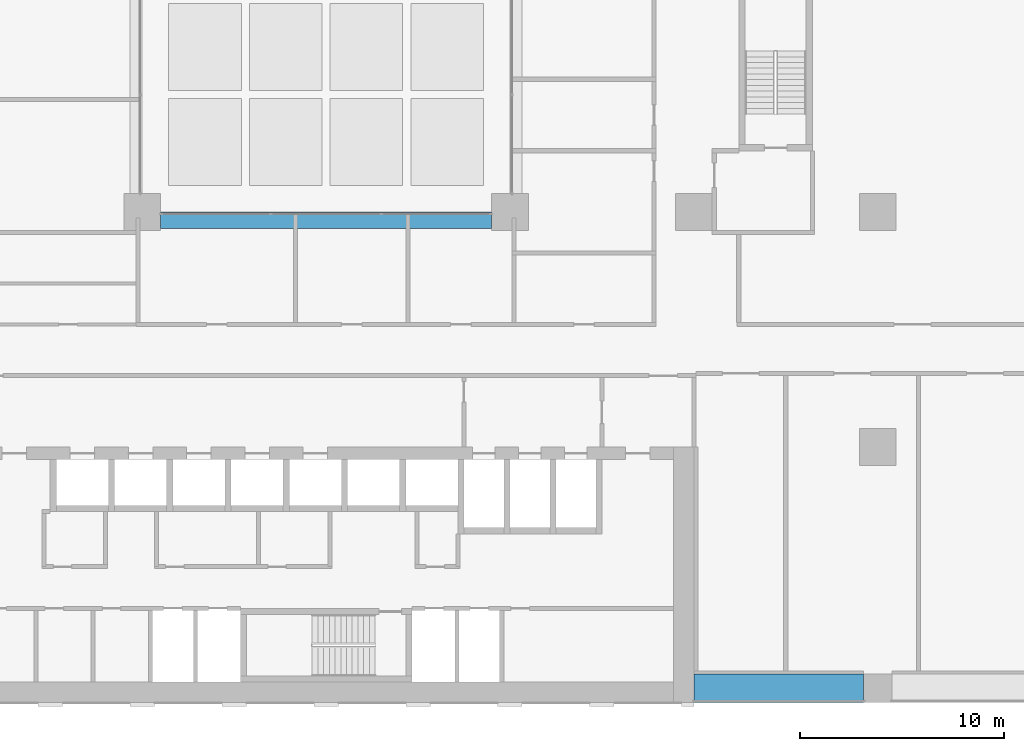
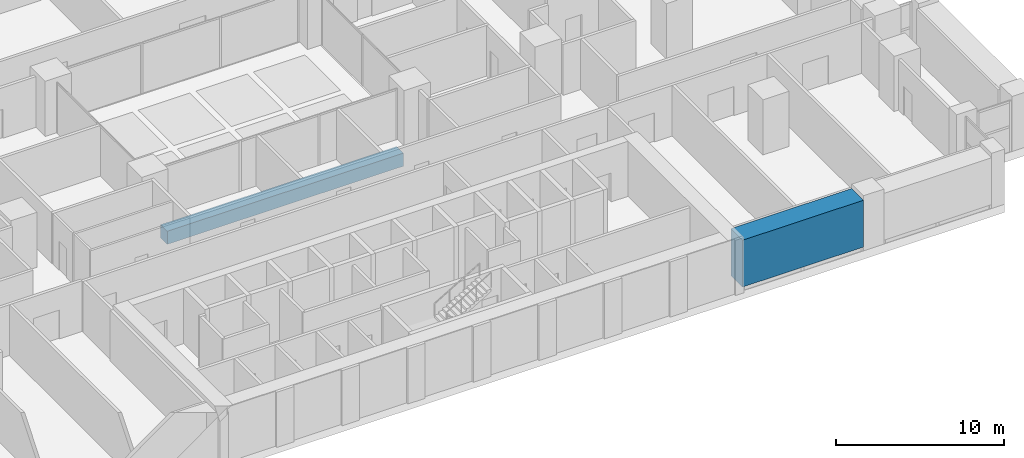
# One storey, part 4 of 24: 2 beams.
"""IFC4 building model written with IfcOpenShell, lengths in metres."""

import ifcopenshell
import ifcopenshell.guid

model = None  # the IFC model being written
_history = None  # IfcOwnerHistory: only IFC2X3 demands one
_inside = {}  # id of a spatial element -> (the spatial element, [elements in it])
_under = {}  # id of a project, library or spatial element -> (it, [spatial elements below it])
_declared = {}  # id of a project -> (the project, [libraries it declares])
_typed = {}  # id of a type object -> (the type object, [elements of that type])
_made_of = {}  # id of a material, layer set ... -> (it, [elements and type objects made of it])


def new_model(schema):
    """Start an empty IFC model of exactly this schema.

    Asked for "IFC4X3", IfcOpenShell would pick the latest addendum, in which some entities
    have other attributes; the version numbers below select the first issue.
    IFC2X3 requires an IfcOwnerHistory on every rooted entity: one is made here for all.
    """
    global model, _history
    if schema == "IFC4X3":
        model = ifcopenshell.file(schema_version=(4, 3, 0, 0))
    else:
        model = ifcopenshell.file(schema=schema)
    _inside.clear()
    _under.clear()
    _declared.clear()
    _typed.clear()
    _made_of.clear()
    _history = None
    if model.schema == "IFC2X3":
        org = make("IfcOrganization", Name="unknown")
        user = make(
            "IfcPersonAndOrganization",
            ThePerson=make("IfcPerson", FamilyName="unknown"),
            TheOrganization=org,
        )
        app = make(
            "IfcApplication",
            ApplicationDeveloper=org,
            Version="unknown",
            ApplicationFullName="unknown",
            ApplicationIdentifier="unknown",
        )
        _history = make(
            "IfcOwnerHistory",
            OwningUser=user,
            OwningApplication=app,
            ChangeAction="ADDED",
            CreationDate=0,
        )
    return model


def make(cls, **values):
    """One entity of the class cls with the attributes given. An attribute that is None is left unset."""
    return model.create_entity(
        cls, **{name: value for name, value in values.items() if value is not None}
    )


def rooted(cls, **values):
    """An entity with a GlobalId (a new one), such as an element, a storey or a relation."""
    return make(cls, GlobalId=ifcopenshell.guid.new(), OwnerHistory=_history, **values)


def si_unit(unit_type, name, prefix=None):
    """IfcSIUnit, for example si_unit("LENGTHUNIT", "METRE", prefix="MILLI")."""
    return make("IfcSIUnit", UnitType=unit_type, Prefix=prefix, Name=name)


def assignment(units):
    """IfcUnitAssignment: the units of a project."""
    return None if units is None else make("IfcUnitAssignment", Units=units)


def point(xyz):
    """IfcCartesianPoint."""
    return None if xyz is None else make("IfcCartesianPoint", Coordinates=xyz)


def direction(xyz):
    """IfcDirection."""
    return None if xyz is None else make("IfcDirection", DirectionRatios=xyz)


def frame(location, z_axis=None, x_axis=None):
    """IfcAxis2Placement3D, a coordinate frame: its origin and axes. An axis left out is left unset."""
    return make(
        "IfcAxis2Placement3D",
        Location=point(location),
        Axis=direction(z_axis),
        RefDirection=direction(x_axis),
    )


def frame_2d(location, x_axis=None):
    """IfcAxis2Placement2D, a coordinate frame in the plane: its origin and x axis."""
    return make(
        "IfcAxis2Placement2D", Location=point(location), RefDirection=direction(x_axis)
    )


def origin():
    """The frame at (0, 0, 0) with its axes left unset."""
    return frame((0.0, 0.0, 0.0))


def origin_2d():
    """The frame at (0, 0) in the plane with its x axis left unset."""
    return frame_2d((0.0, 0.0))


def place(relative_to, where):
    """IfcLocalPlacement: puts the frame where relative to a parent placement (None: the world)."""
    return make(
        "IfcLocalPlacement", PlacementRelTo=relative_to, RelativePlacement=where
    )


def context(
    kind, dimensions, precision=None, world=None, true_north=None, identifier=None
):
    """IfcGeometricRepresentationContext, for example the 3D "Model" context."""
    return make(
        "IfcGeometricRepresentationContext",
        ContextIdentifier=identifier,
        ContextType=kind,
        CoordinateSpaceDimension=dimensions,
        Precision=precision,
        WorldCoordinateSystem=world,
        TrueNorth=true_north,
    )


def subcontext(parent, identifier, kind, view, scale=None):
    """IfcGeometricRepresentationSubContext, for example "Body" below "Model"."""
    return make(
        "IfcGeometricRepresentationSubContext",
        ContextIdentifier=identifier,
        ContextType=kind,
        ParentContext=parent,
        TargetScale=scale,
        TargetView=view,
    )


def project(units=None, contexts=None):
    """IfcProject with its units and contexts."""
    return rooted(
        "IfcProject",
        Name="project",
        RepresentationContexts=contexts,
        UnitsInContext=assignment(units),
    )


def spatial(cls, under=None, at=None, **own):
    """A site, building, storey or space (cls), placed at a placement, below another one or the project."""
    s = rooted(cls, ObjectPlacement=at, **own)
    if under is not None:
        _under.setdefault(under.id(), (under, []))[1].append(s)
    return s


def profile(cls, at=None, kind="AREA", **sizes):
    """A parametric profile (cls). Its sizes go by their IFC names, for example OverallWidth=200.0."""
    return make(cls, ProfileType=kind, Position=at, **sizes)


def rectangle(**sizes):
    """IfcRectangleProfileDef."""
    return profile("IfcRectangleProfileDef", **sizes)


def extrude(swept, where, along, depth):
    """IfcExtrudedAreaSolid: the profile swept, set in the frame where, extruded along a direction by depth."""
    return make(
        "IfcExtrudedAreaSolid",
        SweptArea=swept,
        Position=where,
        ExtrudedDirection=direction(along),
        Depth=depth,
    )


def shape(context_of_items, identifier, shape_type, items):
    """IfcShapeRepresentation: the items that make up one representation, for example the "Body"."""
    return make(
        "IfcShapeRepresentation",
        ContextOfItems=context_of_items,
        RepresentationIdentifier=identifier,
        RepresentationType=shape_type,
        Items=items,
    )


def material(Name=None, Category=None):
    """IfcMaterial."""
    return make("IfcMaterial", Name=Name, Category=Category)


def material_profile(
    of_material, cross_section, Name=None, Category=None, Priority=None
):
    """IfcMaterialProfile: a cross section and its material."""
    return make(
        "IfcMaterialProfile",
        Name=Name,
        Material=of_material,
        Profile=cross_section,
        Priority=Priority,
        Category=Category,
    )


def profile_set(profiles, Name=None, composite=None):
    """IfcMaterialProfileSet."""
    return make(
        "IfcMaterialProfileSet",
        Name=Name,
        MaterialProfiles=profiles,
        CompositeProfile=composite,
    )


def made_of(thing, what):
    """Note that an element or type object is made of a material, layer set ...; save() writes the relation."""
    if what is not None:
        _made_of.setdefault(what.id(), (what, []))[1].append(thing)
    return thing


def type_object(cls, material=None, **own):
    """A type object (cls), such as IfcWallType, which elements share."""
    return made_of(rooted(cls, **own), material)


def element(
    cls,
    number,
    at=None,
    inside=None,
    cuts=None,
    type_object=None,
    material=None,
    context=None,
    identifier="Body",
    shape_type=None,
    held_by="IfcProductDefinitionShape",
    body=None,
    shapes=None,
    **own,
):
    """One element of the class cls, such as IfcWall. Its Tag is "e" and its number.

    at: its placement. inside: the storey or other place that contains it. cuts: it is an
    opening in that element (IfcRelVoidsElement). A single representation is given by context,
    identifier, shape_type and body (its items); several are given by shapes. held_by: the class
    of the entity that holds the representations. save() writes the other relations.
    """
    e = rooted(cls, Tag="e%d" % number, ObjectPlacement=at, **own)
    if body is not None:
        shapes = [shape(context, identifier, shape_type, body)]
    if shapes is not None:
        e.Representation = make(held_by, Representations=shapes)
    if inside is not None:
        _inside.setdefault(inside.id(), (inside, []))[1].append(e)
    if cuts is not None:
        rooted(
            "IfcRelVoidsElement", RelatingBuildingElement=cuts, RelatedOpeningElement=e
        )
    if type_object is not None:
        _typed.setdefault(type_object.id(), (type_object, []))[1].append(e)
    return made_of(e, material)


def aggregate(whole, parts):
    """IfcRelAggregates: a whole, such as a stair, and the parts it consists of."""
    return rooted("IfcRelAggregates", RelatingObject=whole, RelatedObjects=parts)


def save(model, path):
    """Write the relations noted so far, then the file.

    IfcRelAggregates (storeys below a building ...), IfcRelContainedInSpatialStructure (elements
    in a storey), IfcRelDefinesByType, IfcRelAssociatesMaterial and IfcRelDeclares: one each for
    every whole, place, type object, material and project.
    """
    for whole, parts in _under.values():
        aggregate(whole, parts)
    for where, things in _inside.values():
        rooted(
            "IfcRelContainedInSpatialStructure",
            RelatedElements=things,
            RelatingStructure=where,
        )
    for kind, things in _typed.values():
        rooted("IfcRelDefinesByType", RelatedObjects=things, RelatingType=kind)
    for what, things in _made_of.values():
        rooted("IfcRelAssociatesMaterial", RelatedObjects=things, RelatingMaterial=what)
    for by, libraries in _declared.values():
        rooted("IfcRelDeclares", RelatingContext=by, RelatedDefinitions=libraries)
    model.write(path)


model = new_model("IFC4")

# Units and contexts
model_context = context("Model", 3, precision=1e-05, world=origin(), true_north=direction((0.0, 1.0)))
body_context = subcontext(model_context, "Body", "Model", "MODEL_VIEW")
ifc_project = project(units=[si_unit("LENGTHUNIT", "METRE"), si_unit("AREAUNIT", "SQUARE_METRE"), si_unit("VOLUMEUNIT", "CUBIC_METRE"), si_unit("PLANEANGLEUNIT", "RADIAN"), si_unit("MASSUNIT", "GRAM", prefix="KILO")], contexts=[model_context])

# Site, building, storey
site_placement = place(None, origin())
site = spatial("IfcSite", under=ifc_project, at=site_placement, CompositionType="ELEMENT")
building_placement = place(site_placement, origin())
building = spatial("IfcBuilding", under=site, at=building_placement, Name="Brigalow Station Residences", CompositionType="ELEMENT")
storey_placement = place(building_placement, frame((0.0, 0.0, 15.5)))
storey = spatial("IfcBuildingStorey", under=building, at=storey_placement, Name="L03", CompositionType="ELEMENT", Elevation=15.5)

# Beams
ifc_material_1 = material(Name="Concrete C65", Category="concrete")
ifc_material_profile_1 = material_profile(ifc_material_1, rectangle(XDim=0.800048828125, YDim=0.949951171875, at=origin_2d()), Name="RC800x950")
ifc_profile_set_1 = profile_set([ifc_material_profile_1], Name="Concrete C65")
beam_type_1 = type_object("IfcBeamType", Name="ATRIUM EDGE GIRDER OVER 13.5 M SPAN 800x950 C65", PredefinedType="BEAM", material=ifc_profile_set_1)
beam_1_placement = place(storey_placement, frame((27.89990234375, 23.60009765625, -1.074951171875), z_axis=(1.0, 0.0, 0.0), x_axis=(0.0, 1.0, 0.0)))
element("IfcBeam", 1, at=beam_1_placement, inside=storey, type_object=beam_type_1, Name="ATRIUM EDGE GIRDER C L03", PredefinedType="BEAM", context=body_context, shape_type="SweptSolid", body=[
    extrude(rectangle(XDim=0.800048828125, YDim=0.949951171875, at=origin_2d()), origin(), (0.0, 0.0, 1.0), 16.2001953125),
])
ifc_material_2 = material(Name="Concrete C80", Category="concrete")
ifc_material_profile_2 = material_profile(ifc_material_2, rectangle(XDim=1.39990234375, YDim=3.39990234375, at=origin_2d()), Name="RC1400x3400")
ifc_profile_set_2 = profile_set([ifc_material_profile_2], Name="Concrete C80")
beam_type_2 = type_object("IfcBeamType", Name="TRANSFER GIRDER 1400x3400 C80", PredefinedType="USERDEFINED", material=ifc_profile_set_2)
beam_2_placement = place(storey_placement, frame((54.0, 0.699951171875, 1.97998046875), z_axis=(1.0, 0.0, 0.0), x_axis=(0.0, 1.0, 0.0)))
element("IfcBeam", 2, at=beam_2_placement, inside=storey, type_object=beam_type_2, Name="TRANSFER GIRDER S-13 L03", ObjectType="TRANSFER GIRDER", PredefinedType="USERDEFINED", context=body_context, shape_type="SweptSolid", body=[
    extrude(rectangle(XDim=1.39990234375, YDim=3.39990234375, at=origin_2d()), origin(), (0.0, 0.0, 1.0), 8.300048828125),
])

save(model, "model.ifc")
